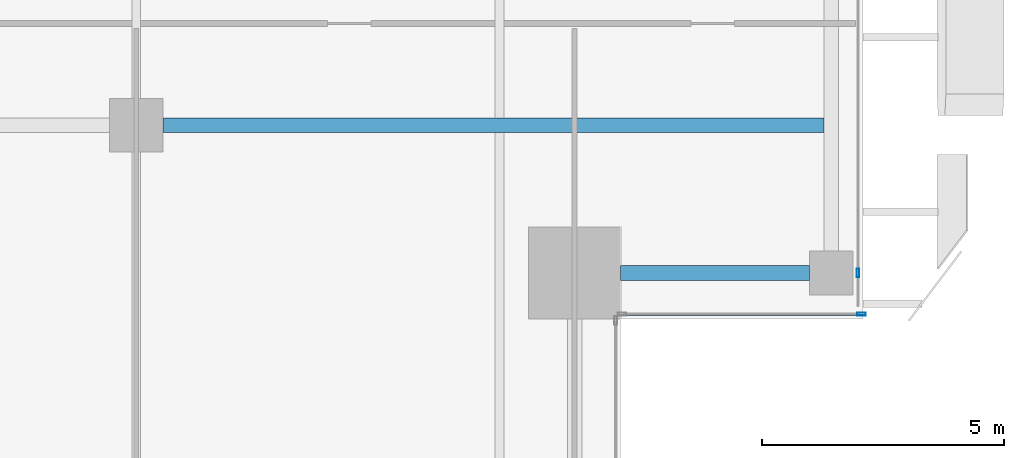
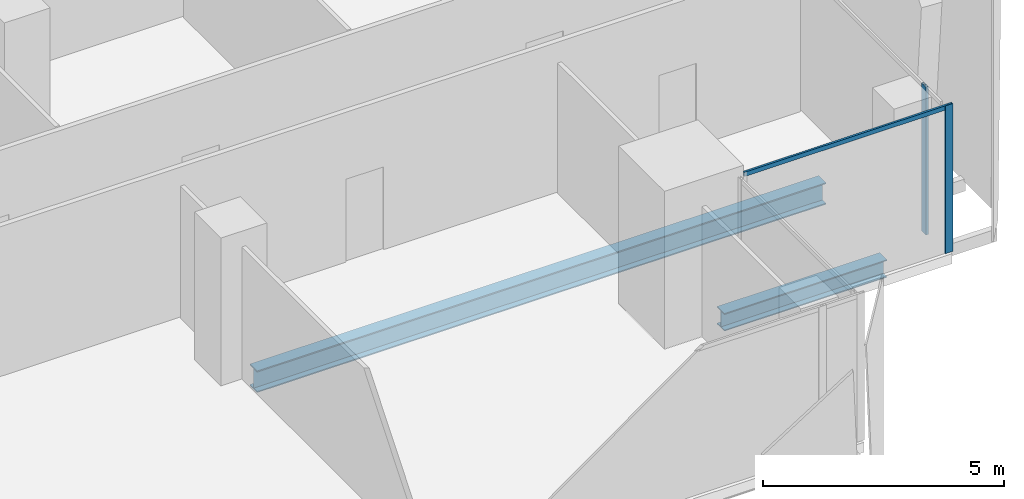
# One storey, part 9 of 33: 3 members, 2 beams, 2 elements without a shape of their own.
"""IFC4 building model written with IfcOpenShell, lengths in metres."""

from ifc_helpers import new_model, si_unit, direction, frame, origin, origin_2d, place, context, subcontext, project, spatial, hollow_rectangle, i_section, extrude, source, transform, mapped, material, material_profile, profile_set, type_object, element, aggregate, save


model = new_model("IFC4")

# Units and contexts
model_context = context("Model", 3, precision=1e-05, world=origin(), true_north=direction((0.0, 1.0)))
body_context = subcontext(model_context, "Body", "Model", "MODEL_VIEW")
ifc_project = project(units=[si_unit("LENGTHUNIT", "METRE"), si_unit("AREAUNIT", "SQUARE_METRE"), si_unit("VOLUMEUNIT", "CUBIC_METRE"), si_unit("PLANEANGLEUNIT", "RADIAN"), si_unit("MASSUNIT", "GRAM", prefix="KILO")], contexts=[model_context])

# Site, building, storey
site_placement = place(None, origin())
site = spatial("IfcSite", under=ifc_project, at=site_placement, CompositionType="ELEMENT")
building_placement = place(site_placement, origin())
building = spatial("IfcBuilding", under=site, at=building_placement, Name="Khomas Fold Tower", CompositionType="ELEMENT")
storey_placement = place(building_placement, frame((0.0, 0.0, 234.199951171875)))
storey = spatial("IfcBuildingStorey", under=building, at=storey_placement, Name="L52", CompositionType="ELEMENT", Elevation=234.199951171875)

# Beams
ifc_material_1 = material(Name="Steel S355", Category="steel")
ifc_material_profile_1 = material_profile(ifc_material_1, i_section(OverallWidth=0.300048828125, OverallDepth=0.449951171875, WebThickness=0.013916015625, FlangeThickness=0.02587890625, at=origin_2d()), Name="HE 450 B")
ifc_profile_set_1 = profile_set([ifc_material_profile_1], Name="Steel S355")
beam_type_1 = type_object("IfcBeamType", Name="HE 450 B spandrel SB4", PredefinedType="SPANDREL", material=ifc_profile_set_1)
shared_shape_1 = source(origin(), body_context, "Body", "SweptSolid", [
    extrude(i_section(OverallWidth=0.300048828125, OverallDepth=0.449951171875, WebThickness=0.013916015625, FlangeThickness=0.02587890625, at=origin_2d()), origin(), (0.0, 0.0, 1.0), 3.89990234375),
])
beam_1_placement = place(storey_placement, frame((44.5, 10.449951171875, -0.474853515625), z_axis=(1.0, 0.0, 0.0), x_axis=(0.0, 1.0, 0.0)))
element("IfcBeam", 1, at=beam_1_placement, inside=storey, type_object=beam_type_1, Name="SB4", PredefinedType="SPANDREL", context=body_context, shape_type="MappedRepresentation", body=[
    mapped(shared_shape_1, transform((0.0, 0.0, 0.0))),
])
ifc_material_2 = material(Name="Steel S355", Category="steel")
ifc_material_profile_2 = material_profile(ifc_material_2, i_section(OverallWidth=0.300048828125, OverallDepth=0.550048828125, WebThickness=0.014892578125, FlangeThickness=0.029052734375, at=origin_2d()), Name="HE 550 B")
ifc_profile_set_2 = profile_set([ifc_material_profile_2], Name="Steel S355")
beam_type_2 = type_object("IfcBeamType", Name="HE 550 B beam GB4", PredefinedType="BEAM", material=ifc_profile_set_2)
shared_shape_2 = source(origin(), body_context, "Body", "SweptSolid", [
    extrude(i_section(OverallWidth=0.300048828125, OverallDepth=0.550048828125, WebThickness=0.014892578125, FlangeThickness=0.029052734375, at=origin_2d()), origin(), (0.0, 0.0, 1.0), 13.64990234375),
])
beam_2_placement = place(storey_placement, frame((35.050048828125, 13.5, -0.52490234375), z_axis=(1.0, 0.0, 0.0), x_axis=(0.0, 1.0, 0.0)))
element("IfcBeam", 2, at=beam_2_placement, inside=storey, type_object=beam_type_2, Name="GB4", PredefinedType="BEAM", context=body_context, shape_type="MappedRepresentation", body=[
    mapped(shared_shape_2, transform((0.0, 0.0, 0.0))),
])

# Curtain wall, member
ifc_material_3 = material(Name="Aluminium framed double glazing", Category="aluminium")
curtain_wall_type = type_object("IfcCurtainWallType", Name="SK-Unitised clear-glass wall, office floors CW2", PredefinedType="NOTDEFINED", material=ifc_material_3)
curtain_wall_1_placement = place(storey_placement, origin())
curtain_wall_1 = element("IfcCurtainWall", 3, at=curtain_wall_1_placement, inside=storey, type_object=curtain_wall_type, Name="CW2 corner return L52 02", PredefinedType="NOTDEFINED")
ifc_material_4 = material(Name="Aluminium", Category="aluminium")
ifc_material_profile_3 = material_profile(ifc_material_4, hollow_rectangle(XDim=0.06005859375, YDim=0.179931640625, WallThickness=0.00390625, at=origin_2d()), Name="SK-Unitised clear-glass wall, office floors mullion CW2-M")
ifc_profile_set_3 = profile_set([ifc_material_profile_3], Name="Aluminium")
member_type_1 = type_object("IfcMemberType", Name="SK-Unitised clear-glass wall, office floors mullion CW2-M", PredefinedType="MULLION", material=ifc_profile_set_3)
shared_shape_3 = source(origin(), body_context, "Body", "SweptSolid", [
    extrude(hollow_rectangle(XDim=0.06005859375, YDim=0.179931640625, WallThickness=0.00390625, at=origin_2d()), origin(), (0.0, 0.0, 1.0), 3.75),
])
member_1_placement = place(storey_placement, frame((49.469970703125, 9.60009765625, 0.0), z_axis=(0.0, 0.0, 1.0), x_axis=(0.0, 1.0, 0.0)))
member_1 = element("IfcMember", 4, at=member_1_placement, type_object=member_type_1, Name="CW2 mullion 2", PredefinedType="MULLION", context=body_context, shape_type="MappedRepresentation", body=[
    mapped(shared_shape_3, transform((0.0, 0.0, 0.0))),
])

curtain_wall_2_placement = place(storey_placement, origin())
curtain_wall_2 = element("IfcCurtainWall", 5, at=curtain_wall_2_placement, inside=storey, type_object=curtain_wall_type, Name="CW2 run L52 03-0", PredefinedType="NOTDEFINED")
member_2_placement = place(storey_placement, frame((49.39990234375, 10.449951171875, 0.0), z_axis=(0.0, 0.0, 1.0), x_axis=(-1.0, 0.0, 0.0)))
member_2 = element("IfcMember", 6, at=member_2_placement, type_object=member_type_1, Name="CW2 mullion 2", PredefinedType="MULLION", context=body_context, shape_type="MappedRepresentation", body=[
    mapped(shared_shape_3, transform((0.0, 0.0, 0.0))),
])
aggregate(curtain_wall_2, [member_2])

# Member
ifc_material_5 = material(Name="Aluminium", Category="aluminium")
ifc_material_profile_4 = material_profile(ifc_material_5, hollow_rectangle(XDim=0.050048828125, YDim=0.110107421875, WallThickness=0.00390625, at=origin_2d()), Name="SK-Unitised clear-glass wall, office floors transom CW2-T")
ifc_profile_set_4 = profile_set([ifc_material_profile_4], Name="Aluminium")
member_type_2 = type_object("IfcMemberType", Name="SK-Unitised clear-glass wall, office floors transom CW2-T", PredefinedType="USERDEFINED", material=ifc_profile_set_4)
shared_shape_4 = source(origin(), body_context, "Body", "SweptSolid", [
    extrude(hollow_rectangle(XDim=0.050048828125, YDim=0.110107421875, WallThickness=0.00390625, at=origin_2d()), origin(), (0.0, 0.0, 1.0), 4.8798828125),
])
member_3_placement = place(storey_placement, frame((44.56005859375, 9.60009765625, 3.695068359375), z_axis=(1.0, 0.0, 0.0), x_axis=(0.0, 1.0, 0.0)))
member_3 = element("IfcMember", 7, at=member_3_placement, type_object=member_type_2, Name="CW2 transom 1", ObjectType="TRANSOM", PredefinedType="USERDEFINED", context=body_context, shape_type="MappedRepresentation", body=[
    mapped(shared_shape_4, transform((0.0, 0.0, 0.0))),
])

aggregate(curtain_wall_1, [member_1, member_3])

save(model, "model.ifc")
